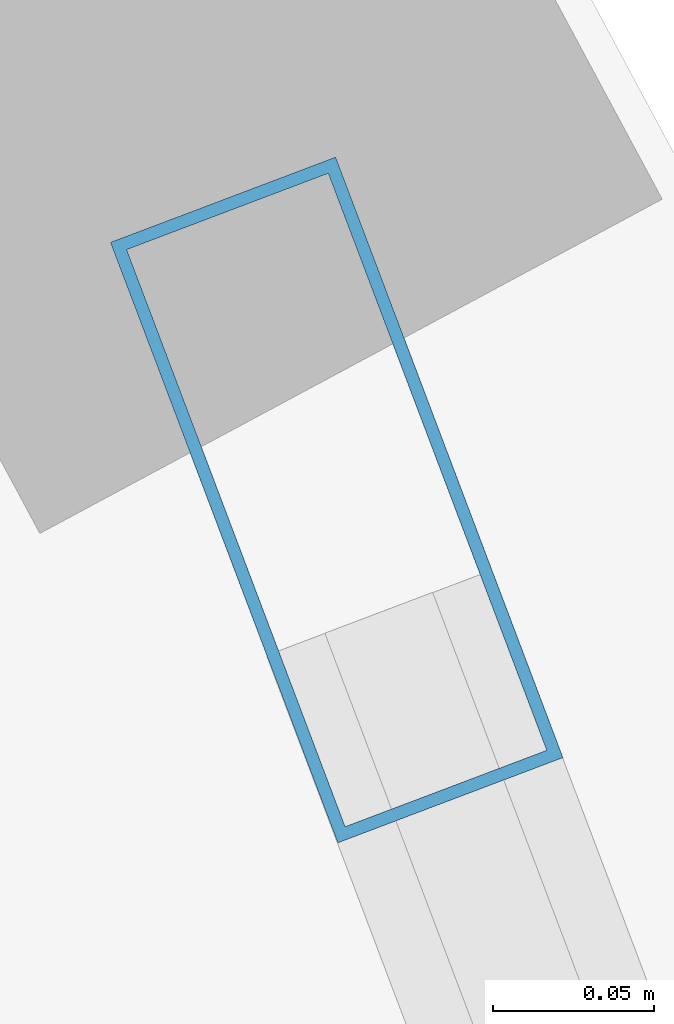
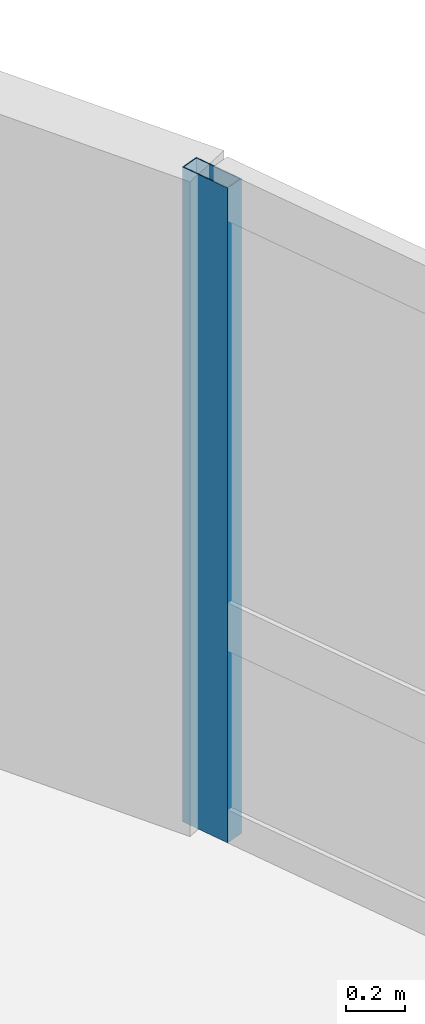
# One storey, part 10 of 20: 1 member, 1 element without a shape of its own.
"""IFC4 building model written with IfcOpenShell, lengths in metres."""

from ifc_helpers import new_model, si_unit, direction, frame, origin, origin_2d, place, context, subcontext, project, spatial, hollow_rectangle, extrude, material, layer, layer_set, material_profile, profile_set, type_object, element, aggregate, save


model = new_model("IFC4")

# Units and contexts
model_context = context("Model", 3, precision=1e-05, world=origin(), true_north=direction((0.0, 1.0)))
body_context = subcontext(model_context, "Body", "Model", "MODEL_VIEW")
ifc_project = project(units=[si_unit("LENGTHUNIT", "METRE"), si_unit("AREAUNIT", "SQUARE_METRE"), si_unit("VOLUMEUNIT", "CUBIC_METRE"), si_unit("PLANEANGLEUNIT", "RADIAN"), si_unit("MASSUNIT", "GRAM", prefix="KILO")], contexts=[model_context])

# Site, building, storey
site_placement = place(None, origin())
site = spatial("IfcSite", under=ifc_project, at=site_placement, CompositionType="ELEMENT")
building_placement = place(site_placement, origin())
building = spatial("IfcBuilding", under=site, at=building_placement, Name="Varnelok Gate Tower", CompositionType="ELEMENT")
storey_placement = place(building_placement, frame((0.0, 0.0, 216.39990234375)))
storey = spatial("IfcBuildingStorey", under=building, at=storey_placement, Name="L55", CompositionType="ELEMENT", Elevation=216.39990234375)

# Curtain wall, member
ifc_material = material(Name="Anodized Aluminum Alloy 6063-T6", Category="aluminium")
ifc_layer = layer(ifc_material, 0.179931640625)
ifc_layer_set = layer_set([ifc_layer], Name="Anodized Aluminum Alloy 6063-T6")
curtain_wall_type = type_object("IfcCurtainWallType", Name="CW4-RESIDENCE-VISION", PredefinedType="USERDEFINED", material=ifc_layer_set)
curtain_wall_placement = place(storey_placement, origin())
curtain_wall = element("IfcCurtainWall", 1, at=curtain_wall_placement, inside=storey, type_object=curtain_wall_type, Name="L55 East End Vision Curtain Wall", ObjectType="UNITISED CURTAIN WALL", PredefinedType="USERDEFINED")
ifc_material_profile = material_profile(ifc_material, hollow_rectangle(XDim=0.074951171875, YDim=0.199951171875, WallThickness=0.00390625, at=origin_2d()), Name="ALU200X75X4")
ifc_profile_set = profile_set([ifc_material_profile], Name="Anodized Aluminum Alloy 6063-T6")
member_type = type_object("IfcMemberType", Name="CW-MULL-200", PredefinedType="MULLION", material=ifc_profile_set)
member_placement = place(storey_placement, frame((64.514892578125, 51.5244140625, 0.0), z_axis=(0.0, 0.0, 1.0), x_axis=(0.935221557832, 0.354063042079, 0.0)))
member = element("IfcMember", 2, at=member_placement, type_object=member_type, Name="CW4 mullion 1", PredefinedType="MULLION", context=body_context, shape_type="SweptSolid", body=[
    extrude(hollow_rectangle(XDim=0.074951171875, YDim=0.199951171875, WallThickness=0.00390625, at=origin_2d()), origin(), (0.0, 0.0, 1.0), 2.72998046875),
])
aggregate(curtain_wall, [member])

save(model, "model.ifc")
